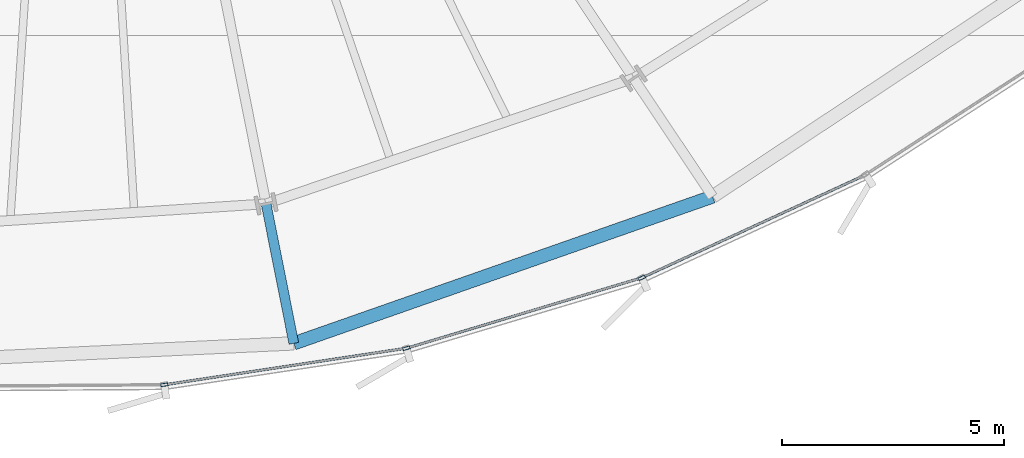
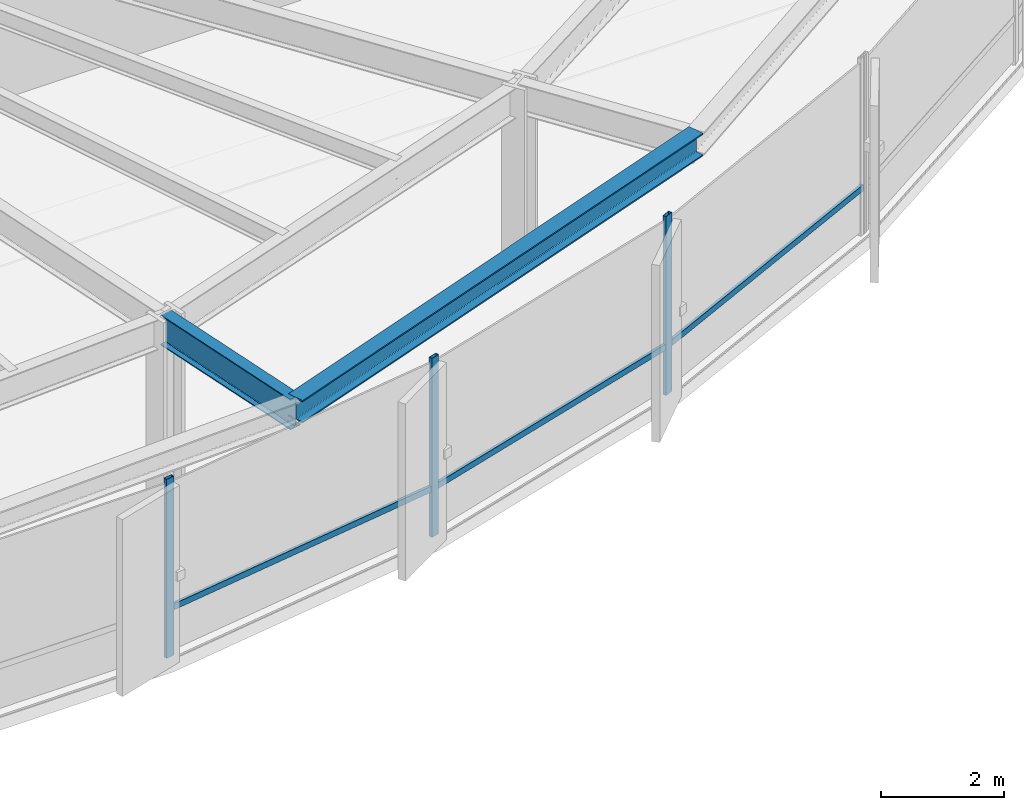
# One storey, part 11 of 37: 6 members, 2 beams, 1 element without a shape of its own.
"""IFC4 building model written with IfcOpenShell, lengths in metres."""

import ifcopenshell
import ifcopenshell.guid

model = None  # the IFC model being written
_history = None  # IfcOwnerHistory: only IFC2X3 demands one
_inside = {}  # id of a spatial element -> (the spatial element, [elements in it])
_under = {}  # id of a project, library or spatial element -> (it, [spatial elements below it])
_declared = {}  # id of a project -> (the project, [libraries it declares])
_typed = {}  # id of a type object -> (the type object, [elements of that type])
_made_of = {}  # id of a material, layer set ... -> (it, [elements and type objects made of it])


def new_model(schema):
    """Start an empty IFC model of exactly this schema.

    Asked for "IFC4X3", IfcOpenShell would pick the latest addendum, in which some entities
    have other attributes; the version numbers below select the first issue.
    IFC2X3 requires an IfcOwnerHistory on every rooted entity: one is made here for all.
    """
    global model, _history
    if schema == "IFC4X3":
        model = ifcopenshell.file(schema_version=(4, 3, 0, 0))
    else:
        model = ifcopenshell.file(schema=schema)
    _inside.clear()
    _under.clear()
    _declared.clear()
    _typed.clear()
    _made_of.clear()
    _history = None
    if model.schema == "IFC2X3":
        org = make("IfcOrganization", Name="unknown")
        user = make(
            "IfcPersonAndOrganization",
            ThePerson=make("IfcPerson", FamilyName="unknown"),
            TheOrganization=org,
        )
        app = make(
            "IfcApplication",
            ApplicationDeveloper=org,
            Version="unknown",
            ApplicationFullName="unknown",
            ApplicationIdentifier="unknown",
        )
        _history = make(
            "IfcOwnerHistory",
            OwningUser=user,
            OwningApplication=app,
            ChangeAction="ADDED",
            CreationDate=0,
        )
    return model


def make(cls, **values):
    """One entity of the class cls with the attributes given. An attribute that is None is left unset."""
    return model.create_entity(
        cls, **{name: value for name, value in values.items() if value is not None}
    )


def rooted(cls, **values):
    """An entity with a GlobalId (a new one), such as an element, a storey or a relation."""
    return make(cls, GlobalId=ifcopenshell.guid.new(), OwnerHistory=_history, **values)


def si_unit(unit_type, name, prefix=None):
    """IfcSIUnit, for example si_unit("LENGTHUNIT", "METRE", prefix="MILLI")."""
    return make("IfcSIUnit", UnitType=unit_type, Prefix=prefix, Name=name)


def assignment(units):
    """IfcUnitAssignment: the units of a project."""
    return None if units is None else make("IfcUnitAssignment", Units=units)


def point(xyz):
    """IfcCartesianPoint."""
    return None if xyz is None else make("IfcCartesianPoint", Coordinates=xyz)


def direction(xyz):
    """IfcDirection."""
    return None if xyz is None else make("IfcDirection", DirectionRatios=xyz)


def frame(location, z_axis=None, x_axis=None):
    """IfcAxis2Placement3D, a coordinate frame: its origin and axes. An axis left out is left unset."""
    return make(
        "IfcAxis2Placement3D",
        Location=point(location),
        Axis=direction(z_axis),
        RefDirection=direction(x_axis),
    )


def frame_2d(location, x_axis=None):
    """IfcAxis2Placement2D, a coordinate frame in the plane: its origin and x axis."""
    return make(
        "IfcAxis2Placement2D", Location=point(location), RefDirection=direction(x_axis)
    )


def origin():
    """The frame at (0, 0, 0) with its axes left unset."""
    return frame((0.0, 0.0, 0.0))


def origin_2d():
    """The frame at (0, 0) in the plane with its x axis left unset."""
    return frame_2d((0.0, 0.0))


def place(relative_to, where):
    """IfcLocalPlacement: puts the frame where relative to a parent placement (None: the world)."""
    return make(
        "IfcLocalPlacement", PlacementRelTo=relative_to, RelativePlacement=where
    )


def context(
    kind, dimensions, precision=None, world=None, true_north=None, identifier=None
):
    """IfcGeometricRepresentationContext, for example the 3D "Model" context."""
    return make(
        "IfcGeometricRepresentationContext",
        ContextIdentifier=identifier,
        ContextType=kind,
        CoordinateSpaceDimension=dimensions,
        Precision=precision,
        WorldCoordinateSystem=world,
        TrueNorth=true_north,
    )


def subcontext(parent, identifier, kind, view, scale=None):
    """IfcGeometricRepresentationSubContext, for example "Body" below "Model"."""
    return make(
        "IfcGeometricRepresentationSubContext",
        ContextIdentifier=identifier,
        ContextType=kind,
        ParentContext=parent,
        TargetScale=scale,
        TargetView=view,
    )


def project(units=None, contexts=None):
    """IfcProject with its units and contexts."""
    return rooted(
        "IfcProject",
        Name="project",
        RepresentationContexts=contexts,
        UnitsInContext=assignment(units),
    )


def spatial(cls, under=None, at=None, **own):
    """A site, building, storey or space (cls), placed at a placement, below another one or the project."""
    s = rooted(cls, ObjectPlacement=at, **own)
    if under is not None:
        _under.setdefault(under.id(), (under, []))[1].append(s)
    return s


def profile(cls, at=None, kind="AREA", **sizes):
    """A parametric profile (cls). Its sizes go by their IFC names, for example OverallWidth=200.0."""
    return make(cls, ProfileType=kind, Position=at, **sizes)


def hollow_rectangle(**sizes):
    """IfcRectangleHollowProfileDef."""
    return profile("IfcRectangleHollowProfileDef", **sizes)


def i_section(**sizes):
    """IfcIShapeProfileDef."""
    return profile("IfcIShapeProfileDef", **sizes)


def extrude(swept, where, along, depth):
    """IfcExtrudedAreaSolid: the profile swept, set in the frame where, extruded along a direction by depth."""
    return make(
        "IfcExtrudedAreaSolid",
        SweptArea=swept,
        Position=where,
        ExtrudedDirection=direction(along),
        Depth=depth,
    )


def shape(context_of_items, identifier, shape_type, items):
    """IfcShapeRepresentation: the items that make up one representation, for example the "Body"."""
    return make(
        "IfcShapeRepresentation",
        ContextOfItems=context_of_items,
        RepresentationIdentifier=identifier,
        RepresentationType=shape_type,
        Items=items,
    )


def source(mapping_origin, context_of_items, identifier, shape_type, items):
    """IfcRepresentationMap: a shape defined once, which mapped items show again and again."""
    return make(
        "IfcRepresentationMap",
        MappingOrigin=mapping_origin,
        MappedRepresentation=shape(context_of_items, identifier, shape_type, items),
    )


def transform(
    local_origin,
    x_axis=None,
    y_axis=None,
    z_axis=None,
    scale=None,
    scale2=None,
    scale3=None,
    uniform=True,
):
    """IfcCartesianTransformationOperator3D, or its non-uniform kind. x_axis, y_axis, z_axis: its Axis1, 2, 3."""
    if uniform:
        return make(
            "IfcCartesianTransformationOperator3D",
            Axis1=direction(x_axis),
            Axis2=direction(y_axis),
            LocalOrigin=point(local_origin),
            Scale=scale,
            Axis3=direction(z_axis),
        )
    return make(
        "IfcCartesianTransformationOperator3DnonUniform",
        Axis1=direction(x_axis),
        Axis2=direction(y_axis),
        LocalOrigin=point(local_origin),
        Scale=scale,
        Axis3=direction(z_axis),
        Scale2=scale2,
        Scale3=scale3,
    )


def mapped(mapping_source, mapping_target):
    """IfcMappedItem: shows the shape of a source again, moved by a transform."""
    return make(
        "IfcMappedItem", MappingSource=mapping_source, MappingTarget=mapping_target
    )


def material(Name=None, Category=None):
    """IfcMaterial."""
    return make("IfcMaterial", Name=Name, Category=Category)


def layer(
    of_material, thickness, ventilated=None, Name=None, Category=None, Priority=None
):
    """IfcMaterialLayer: one layer of a wall or slab, of a material (None: an air gap)."""
    return make(
        "IfcMaterialLayer",
        Material=of_material,
        LayerThickness=thickness,
        IsVentilated=ventilated,
        Name=Name,
        Category=Category,
        Priority=Priority,
    )


def layer_set(layers, Name=None):
    """IfcMaterialLayerSet."""
    return make("IfcMaterialLayerSet", MaterialLayers=layers, LayerSetName=Name)


def material_profile(
    of_material, cross_section, Name=None, Category=None, Priority=None
):
    """IfcMaterialProfile: a cross section and its material."""
    return make(
        "IfcMaterialProfile",
        Name=Name,
        Material=of_material,
        Profile=cross_section,
        Priority=Priority,
        Category=Category,
    )


def profile_set(profiles, Name=None, composite=None):
    """IfcMaterialProfileSet."""
    return make(
        "IfcMaterialProfileSet",
        Name=Name,
        MaterialProfiles=profiles,
        CompositeProfile=composite,
    )


def made_of(thing, what):
    """Note that an element or type object is made of a material, layer set ...; save() writes the relation."""
    if what is not None:
        _made_of.setdefault(what.id(), (what, []))[1].append(thing)
    return thing


def type_object(cls, material=None, **own):
    """A type object (cls), such as IfcWallType, which elements share."""
    return made_of(rooted(cls, **own), material)


def element(
    cls,
    number,
    at=None,
    inside=None,
    cuts=None,
    type_object=None,
    material=None,
    context=None,
    identifier="Body",
    shape_type=None,
    held_by="IfcProductDefinitionShape",
    body=None,
    shapes=None,
    **own,
):
    """One element of the class cls, such as IfcWall. Its Tag is "e" and its number.

    at: its placement. inside: the storey or other place that contains it. cuts: it is an
    opening in that element (IfcRelVoidsElement). A single representation is given by context,
    identifier, shape_type and body (its items); several are given by shapes. held_by: the class
    of the entity that holds the representations. save() writes the other relations.
    """
    e = rooted(cls, Tag="e%d" % number, ObjectPlacement=at, **own)
    if body is not None:
        shapes = [shape(context, identifier, shape_type, body)]
    if shapes is not None:
        e.Representation = make(held_by, Representations=shapes)
    if inside is not None:
        _inside.setdefault(inside.id(), (inside, []))[1].append(e)
    if cuts is not None:
        rooted(
            "IfcRelVoidsElement", RelatingBuildingElement=cuts, RelatedOpeningElement=e
        )
    if type_object is not None:
        _typed.setdefault(type_object.id(), (type_object, []))[1].append(e)
    return made_of(e, material)


def aggregate(whole, parts):
    """IfcRelAggregates: a whole, such as a stair, and the parts it consists of."""
    return rooted("IfcRelAggregates", RelatingObject=whole, RelatedObjects=parts)


def save(model, path):
    """Write the relations noted so far, then the file.

    IfcRelAggregates (storeys below a building ...), IfcRelContainedInSpatialStructure (elements
    in a storey), IfcRelDefinesByType, IfcRelAssociatesMaterial and IfcRelDeclares: one each for
    every whole, place, type object, material and project.
    """
    for whole, parts in _under.values():
        aggregate(whole, parts)
    for where, things in _inside.values():
        rooted(
            "IfcRelContainedInSpatialStructure",
            RelatedElements=things,
            RelatingStructure=where,
        )
    for kind, things in _typed.values():
        rooted("IfcRelDefinesByType", RelatedObjects=things, RelatingType=kind)
    for what, things in _made_of.values():
        rooted("IfcRelAssociatesMaterial", RelatedObjects=things, RelatingMaterial=what)
    for by, libraries in _declared.values():
        rooted("IfcRelDeclares", RelatingContext=by, RelatedDefinitions=libraries)
    model.write(path)


model = new_model("IFC4")

# Units and contexts
model_context = context("Model", 3, precision=1e-05, world=origin(), true_north=direction((0.0, 1.0)))
body_context = subcontext(model_context, "Body", "Model", "MODEL_VIEW")
ifc_project = project(units=[si_unit("LENGTHUNIT", "METRE"), si_unit("AREAUNIT", "SQUARE_METRE"), si_unit("VOLUMEUNIT", "CUBIC_METRE"), si_unit("PLANEANGLEUNIT", "RADIAN"), si_unit("MASSUNIT", "GRAM", prefix="KILO"), si_unit("THERMODYNAMICTEMPERATUREUNIT", "KELVIN")], contexts=[model_context])

# Site, building, storey
site_placement = place(None, origin())
site = spatial("IfcSite", under=ifc_project, at=site_placement, CompositionType="ELEMENT")
building_placement = place(site_placement, origin())
building = spatial("IfcBuilding", under=site, at=building_placement, Name="Kethvar Cultural Tower", CompositionType="ELEMENT")
storey_placement = place(building_placement, frame((0.0, 0.0, 48.60009765625)))
storey = spatial("IfcBuildingStorey", under=building, at=storey_placement, Name="L11", CompositionType="ELEMENT", Elevation=48.60009765625)

# Beams
ifc_material_1 = material(Name="Steel S355J2", Category="steel")
ifc_material_profile_1 = material_profile(ifc_material_1, i_section(OverallWidth=0.219970703125, OverallDepth=0.60009765625, WebThickness=0.011962890625, FlangeThickness=0.01904296875, FilletRadius=0.02392578125, at=origin_2d()), Name="Steel S355J2 — IPE600")
ifc_profile_set_1 = profile_set([ifc_material_profile_1], Name="Steel S355J2 — IPE600")
beam_type_1 = type_object("IfcBeamType", Name="BM-IPE600", PredefinedType="BEAM", material=ifc_profile_set_1)
shared_shape_1 = source(origin(), body_context, "Body", "SweptSolid", [
    extrude(i_section(OverallWidth=0.219970703125, OverallDepth=0.60009765625, WebThickness=0.011962890625, FlangeThickness=0.01904296875, FilletRadius=0.02392578125, at=origin_2d()), origin(), (0.0, 0.0, 1.0), 3.199951171875),
])
beam_1_placement = place(storey_placement, frame((51.10400390625, 6.16259765625, 3.247802734375), z_axis=(0.195088965533, -0.980785550224, 0.0), x_axis=(0.980785550224, 0.195088965533, 0.0)))
element("IfcBeam", 1, at=beam_1_placement, inside=storey, type_object=beam_type_1, Name="L11 Perimeter Cantilever Beam RC-13", PredefinedType="BEAM", context=body_context, shape_type="MappedRepresentation", body=[
    mapped(shared_shape_1, transform((0.0, 0.0, 0.0), scale=1.0)),
])
ifc_material_profile_2 = material_profile(ifc_material_1, i_section(OverallWidth=0.300048828125, OverallDepth=0.449951171875, WebThickness=0.013916015625, FlangeThickness=0.02587890625, FilletRadius=0.027099609375, at=origin_2d()), Name="Steel S355J2 — HEB450")
ifc_profile_set_2 = profile_set([ifc_material_profile_2], Name="Steel S355J2 — HEB450")
beam_type_2 = type_object("IfcBeamType", Name="BM-SP450", PredefinedType="SPANDREL", material=ifc_profile_set_2)
shared_shape_2 = source(origin(), body_context, "Body", "SweptSolid", [
    extrude(i_section(OverallWidth=0.300048828125, OverallDepth=0.449951171875, WebThickness=0.013916015625, FlangeThickness=0.02587890625, FilletRadius=0.027099609375, at=origin_2d()), origin(), (0.0, 0.0, 1.0), 9.98193359375),
])
beam_2_placement = place(storey_placement, frame((51.728271484375, 3.024169921875, 3.322998046875), z_axis=(0.943693514159, 0.330821026138, 0.0), x_axis=(-0.330821026138, 0.943693514159, 0.0)))
element("IfcBeam", 2, at=beam_2_placement, inside=storey, type_object=beam_type_2, Name="L11 Perimeter Spandrel Beam SP-13", PredefinedType="SPANDREL", context=body_context, shape_type="MappedRepresentation", body=[
    mapped(shared_shape_2, transform((0.0, 0.0, 0.0), scale=1.0)),
])

# Curtain wall, members
ifc_material_2 = material(Name="Aluminium 6063-T6", Category="aluminium")
ifc_layer = layer(ifc_material_2, 0.179931640625, Name="Aluminium 6063-T6", Category="aluminium")
ifc_layer_set = layer_set([ifc_layer], Name="Aluminium 6063-T6 (180 mm)")
curtain_wall_type = type_object("IfcCurtainWallType", Name="CW-SYS-02-Z1", PredefinedType="NOTDEFINED", material=ifc_layer_set)
curtain_wall_placement = place(storey_placement, origin())
curtain_wall = element("IfcCurtainWall", 3, at=curtain_wall_placement, inside=storey, type_object=curtain_wall_type, Name="L11 Curtain Wall Run 05", PredefinedType="NOTDEFINED")
ifc_material_profile_3 = material_profile(ifc_material_2, hollow_rectangle(XDim=0.06494140625, YDim=0.159912109375, WallThickness=0.0048828125, at=origin_2d()), Name="Aluminium 6063-T6 — RHS160x65x5")
ifc_profile_set_3 = profile_set([ifc_material_profile_3], Name="Aluminium 6063-T6 — RHS160x65x5")
member_type_1 = type_object("IfcMemberType", Name="CW-SYS-02-Z1-MUL", PredefinedType="MULLION", material=ifc_profile_set_3)
shared_shape_3 = source(origin(), body_context, "Body", "SweptSolid", [
    extrude(hollow_rectangle(XDim=0.06494140625, YDim=0.159912109375, WallThickness=0.0048828125, at=origin_2d()), origin(), (0.0, 0.0, 1.0), 3.5498046875),
])
member_1_placement = place(storey_placement, frame((48.814697265625, 2.09228515625, 0.0), z_axis=(0.0, 0.0, 1.0), x_axis=(-0.14931099789, 0.988790284089, 0.0)))
member_1 = element("IfcMember", 4, at=member_1_placement, type_object=member_type_1, Name="CW-L11-R05 Mullion 4", PredefinedType="MULLION", context=body_context, shape_type="MappedRepresentation", body=[
    mapped(shared_shape_3, transform((0.0, 0.0, 0.0), scale=1.0)),
])
member_2_placement = place(storey_placement, frame((54.259765625, 2.913330078125, 0.0), z_axis=(0.0, 0.0, 1.0), x_axis=(-0.286875685533, 0.957967818379, 0.0)))
member_2 = element("IfcMember", 5, at=member_2_placement, type_object=member_type_1, Name="CW-L11-R05 Mullion 5", PredefinedType="MULLION", context=body_context, shape_type="MappedRepresentation", body=[
    mapped(shared_shape_3, transform((0.0, 0.0, 0.0), scale=1.0)),
])
member_3_placement = place(storey_placement, frame((59.55419921875, 4.49755859375, 0.0), z_axis=(0.0, 0.0, 1.0), x_axis=(-0.418152469437, 0.908376855883, 0.0)))
member_3 = element("IfcMember", 6, at=member_3_placement, type_object=member_type_1, Name="CW-L11-R05 Mullion 6", PredefinedType="MULLION", context=body_context, shape_type="MappedRepresentation", body=[
    mapped(shared_shape_3, transform((0.0, 0.0, 0.0), scale=1.0)),
])
ifc_material_profile_4 = material_profile(ifc_material_2, hollow_rectangle(XDim=0.054931640625, YDim=0.1201171875, WallThickness=0.00390625, at=origin_2d()), Name="Aluminium 6063-T6 — RHS120x55x4")
ifc_profile_set_4 = profile_set([ifc_material_profile_4], Name="Aluminium 6063-T6 — RHS120x55x4")
member_type_2 = type_object("IfcMemberType", Name="CW-SYS-02-Z1-TRN", PredefinedType="USERDEFINED", material=ifc_profile_set_4)
shared_shape_4 = source(origin(), body_context, "Body", "SweptSolid", [
    extrude(hollow_rectangle(XDim=0.054931640625, YDim=0.1201171875, WallThickness=0.00390625, at=origin_2d()), origin(), (0.0, 0.0, 1.0), 5.4296875),
])
member_4_placement = place(storey_placement, frame((48.861083984375, 2.099365234375, 0.949951171875), z_axis=(0.988788441966, 0.14932319657, 0.0), x_axis=(-0.14932319657, 0.988788441966, 0.0)))
member_4 = element("IfcMember", 7, at=member_4_placement, type_object=member_type_2, Name="CW-L11-R05 Transom 4", ObjectType="TRANSOM", PredefinedType="USERDEFINED", context=body_context, shape_type="MappedRepresentation", body=[
    mapped(shared_shape_4, transform((0.0, 0.0, 0.0), scale=1.0)),
])
shared_shape_5 = source(origin(), body_context, "Body", "SweptSolid", [
    extrude(hollow_rectangle(XDim=0.054931640625, YDim=0.1201171875, WallThickness=0.00390625, at=origin_2d()), origin(), (0.0, 0.0, 1.0), 5.449462890625),
])
member_5_placement = place(storey_placement, frame((54.3046875, 2.9267578125, 0.949951171875), z_axis=(0.957972892836, 0.286858739785, 0.0), x_axis=(-0.286858739785, 0.957972892836, 0.0)))
member_5 = element("IfcMember", 8, at=member_5_placement, type_object=member_type_2, Name="CW-L11-R05 Transom 5", ObjectType="TRANSOM", PredefinedType="USERDEFINED", context=body_context, shape_type="MappedRepresentation", body=[
    mapped(shared_shape_5, transform((0.0, 0.0, 0.0), scale=1.0)),
])
shared_shape_6 = source(origin(), body_context, "Body", "SweptSolid", [
    extrude(hollow_rectangle(XDim=0.054931640625, YDim=0.1201171875, WallThickness=0.00390625, at=origin_2d()), origin(), (0.0, 0.0, 1.0), 5.4287109375),
])
member_6_placement = place(storey_placement, frame((59.5966796875, 4.51708984375, 0.949951171875), z_axis=(0.908380122731, 0.4181453726, 0.0), x_axis=(-0.4181453726, 0.908380122731, 0.0)))
member_6 = element("IfcMember", 9, at=member_6_placement, type_object=member_type_2, Name="CW-L11-R05 Transom 6", ObjectType="TRANSOM", PredefinedType="USERDEFINED", context=body_context, shape_type="MappedRepresentation", body=[
    mapped(shared_shape_6, transform((0.0, 0.0, 0.0), scale=1.0)),
])
aggregate(curtain_wall, [member_1, member_2, member_3, member_4, member_5, member_6])

save(model, "model.ifc")
